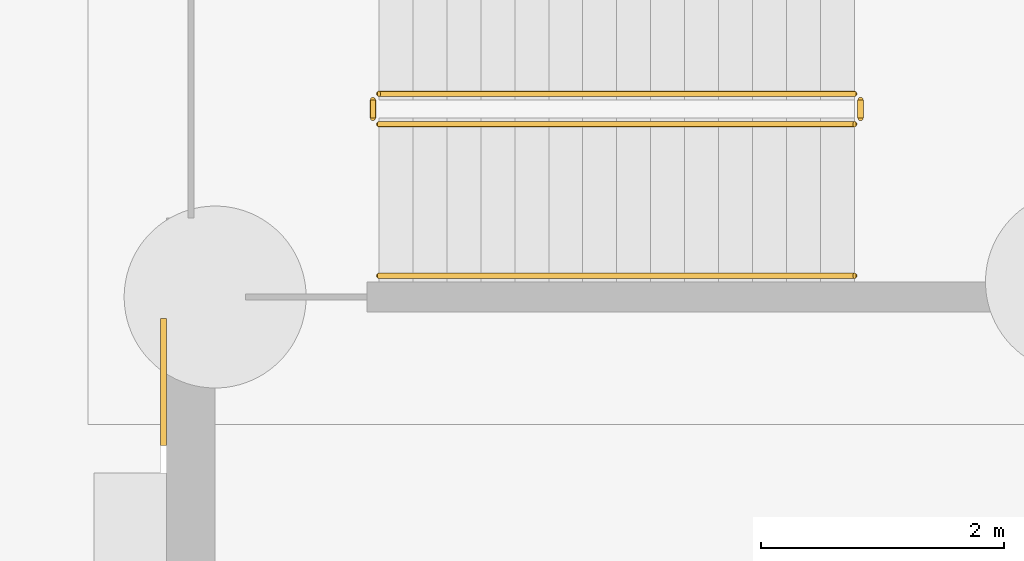
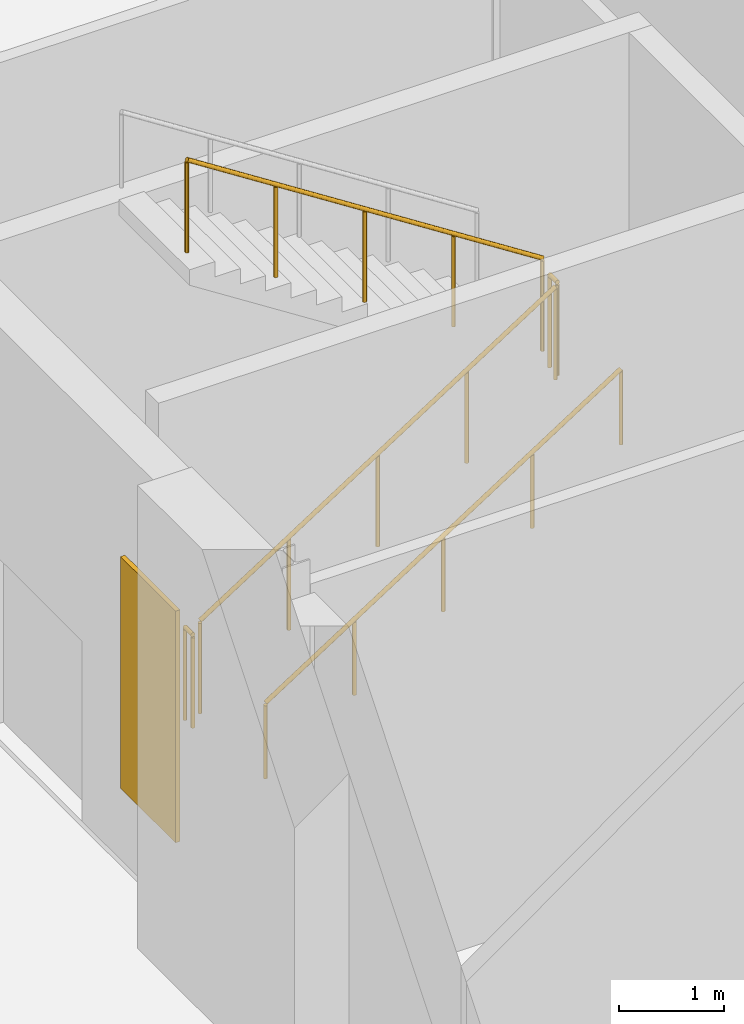
# One storey, part 128 of 168: 5 railings, 1 covering.
"""IFC4 building model written with IfcOpenShell, lengths in metres."""

from ifc_helpers import new_model, si_unit, direction, frame, origin, origin_2d, place, context, subcontext, project, spatial, polyline, circle, outline, extrude, material, layer, layer_set, type_object, element, save


model = new_model("IFC4")

# Units and contexts
model_context = context("Model", 3, precision=1e-05, world=origin(), true_north=direction((0.0, 1.0)))
body_context = subcontext(model_context, "Body", "Model", "MODEL_VIEW")
ifc_project = project(units=[si_unit("LENGTHUNIT", "METRE"), si_unit("AREAUNIT", "SQUARE_METRE"), si_unit("VOLUMEUNIT", "CUBIC_METRE"), si_unit("PLANEANGLEUNIT", "RADIAN"), si_unit("MASSUNIT", "GRAM", prefix="KILO")], contexts=[model_context])

# Site, building, storey
site_placement = place(None, origin())
site = spatial("IfcSite", under=ifc_project, at=site_placement, CompositionType="ELEMENT")
building_placement = place(site_placement, origin())
building = spatial("IfcBuilding", under=site, at=building_placement, Name="Golden Quay Civic Hall", CompositionType="ELEMENT")
storey_placement = place(building_placement, origin())
storey = spatial("IfcBuildingStorey", under=building, at=storey_placement, Name="L00", CompositionType="ELEMENT", Elevation=0.0)

# Railings
ifc_material_1 = material(Name="Steel S355", Category="steel")
railing_type_1 = type_object("IfcRailingType", Name="Steel guard 1100", PredefinedType="GUARDRAIL", material=ifc_material_1)
railing_1_placement = place(storey_placement, frame((1.550048828125, 31.375, 0.179931640625)))
element("IfcRailing", 1, at=railing_1_placement, inside=storey, type_object=railing_type_1, Name="L00 WO-M stair guard 1", PredefinedType="GUARDRAIL", context=body_context, shape_type="SweptSolid", body=[
    extrude(circle(Radius=0.02392578125, at=origin_2d()), frame((0.0, 0.0, 1.076171875), z_axis=(0.841171666519, 0.0, 0.540768182723), x_axis=(0.0, 1.0, 0.0)), (0.0, 0.0, 1.0), 4.66015625),
    extrude(circle(Radius=0.02099609375, at=origin_2d()), origin(), (0.0, 0.0, 1.0), 1.052001953125),
    extrude(circle(Radius=0.02099609375, at=origin_2d()), frame((0.97998046875, 0.0, 0.6298828125)), (0.0, 0.0, 1.0), 1.052001953125),
    extrude(circle(Radius=0.02099609375, at=origin_2d()), frame((1.9599609375, 0.0, 1.260009765625)), (0.0, 0.0, 1.0), 1.052001953125),
    extrude(circle(Radius=0.02099609375, at=origin_2d()), frame((2.93994140625, 0.0, 1.89013671875)), (0.0, 0.0, 1.0), 1.052001953125),
    extrude(circle(Radius=0.02099609375, at=origin_2d()), frame((3.919921875, 0.0, 2.52001953125)), (0.0, 0.0, 1.0), 1.052001953125),
])
railing_2_placement = place(storey_placement, frame((5.52001953125, 31.425048828125, 2.699951171875)))
element("IfcRailing", 2, at=railing_2_placement, inside=storey, type_object=railing_type_1, Name="L00 WO-M stair guard 2", PredefinedType="GUARDRAIL", context=body_context, shape_type="SweptSolid", body=[
    extrude(circle(Radius=0.02392578125, at=origin_2d()), frame((0.0, 0.0, 1.076171875), z_axis=(0.0, 1.0, 0.0), x_axis=(-1.0, 0.0, 0.0)), (0.0, 0.0, 1.0), 0.14990234375),
    extrude(circle(Radius=0.02099609375, at=origin_2d()), origin(), (0.0, 0.0, 1.0), 1.052001953125),
    extrude(circle(Radius=0.02099609375, at=origin_2d()), frame((0.0, 0.14990234375, 0.0)), (0.0, 0.0, 1.0), 1.052001953125),
])
railing_3_placement = place(storey_placement, frame((5.469970703125, 31.625, 2.8798828125)))
element("IfcRailing", 3, at=railing_3_placement, inside=storey, type_object=railing_type_1, Name="L00 WO-M stair guard 3", PredefinedType="GUARDRAIL", context=body_context, shape_type="SweptSolid", body=[
    extrude(circle(Radius=0.02392578125, at=origin_2d()), frame((0.0, 0.0, 1.076171875), z_axis=(-0.841171666519, 0.0, 0.540768182723), x_axis=(0.0, -1.0, 0.0)), (0.0, 0.0, 1.0), 4.66015625),
    extrude(circle(Radius=0.02099609375, at=origin_2d()), origin(), (0.0, 0.0, 1.0), 1.052001953125),
    extrude(circle(Radius=0.02099609375, at=origin_2d()), frame((-0.97998046875, 0.0, 0.6298828125)), (0.0, 0.0, 1.0), 1.052001953125),
    extrude(circle(Radius=0.02099609375, at=origin_2d()), frame((-1.9599609375, 0.0, 1.260009765625)), (0.0, 0.0, 1.0), 1.052001953125),
    extrude(circle(Radius=0.02099609375, at=origin_2d()), frame((-2.93994140625, 0.0, 1.89013671875)), (0.0, 0.0, 1.0), 1.052001953125),
    extrude(circle(Radius=0.02099609375, at=origin_2d()), frame((-3.919921875, 0.0, 2.52001953125)), (0.0, 0.0, 1.0), 1.052001953125),
])
railing_4_placement = place(storey_placement, frame((1.5, 31.425048828125, 0.0)))
element("IfcRailing", 4, at=railing_4_placement, inside=storey, type_object=railing_type_1, Name="L00 WO-M stair guard 4", PredefinedType="GUARDRAIL", context=body_context, shape_type="SweptSolid", body=[
    extrude(circle(Radius=0.02392578125, at=origin_2d()), frame((0.0, 0.0, 1.076171875), z_axis=(0.0, 1.0, 0.0), x_axis=(-1.0, 0.0, 0.0)), (0.0, 0.0, 1.0), 0.14990234375),
    extrude(circle(Radius=0.02099609375, at=origin_2d()), origin(), (0.0, 0.0, 1.0), 1.052001953125),
    extrude(circle(Radius=0.02099609375, at=origin_2d()), frame((0.0, 0.14990234375, 0.0)), (0.0, 0.0, 1.0), 1.052001953125),
])
ifc_material_2 = material(Name="Steel S355", Category="steel")
railing_type_2 = type_object("IfcRailingType", Name="Steel handrail 900", PredefinedType="HANDRAIL", material=ifc_material_2)
railing_5_placement = place(storey_placement, frame((1.550048828125, 30.125, 0.179931640625)))
element("IfcRailing", 5, at=railing_5_placement, inside=storey, type_object=railing_type_2, Name="L00 WO-M stair handrail 1", PredefinedType="HANDRAIL", context=body_context, shape_type="SweptSolid", body=[
    extrude(circle(Radius=0.02392578125, at=origin_2d()), frame((0.0, 0.0, 0.8759765625), z_axis=(0.841171666519, 0.0, 0.540768182723), x_axis=(0.0, 1.0, 0.0)), (0.0, 0.0, 1.0), 4.66015625),
    extrude(circle(Radius=0.02099609375, at=origin_2d()), origin(), (0.0, 0.0, 1.0), 0.851806640625),
    extrude(circle(Radius=0.02099609375, at=origin_2d()), frame((0.97998046875, 0.0, 0.6298828125)), (0.0, 0.0, 1.0), 0.851806640625),
    extrude(circle(Radius=0.02099609375, at=origin_2d()), frame((1.9599609375, 0.0, 1.260009765625)), (0.0, 0.0, 1.0), 0.851806640625),
    extrude(circle(Radius=0.02099609375, at=origin_2d()), frame((2.93994140625, 0.0, 1.89013671875)), (0.0, 0.0, 1.0), 0.851806640625),
    extrude(circle(Radius=0.02099609375, at=origin_2d()), frame((3.919921875, 0.0, 2.52001953125)), (0.0, 0.0, 1.0), 0.851806640625),
])

# Covering
ifc_material_3 = material(Name="Terracotta cladding, golden glaze", Category="masonry")
ifc_layer = layer(ifc_material_3, 0.050048828125)
ifc_layer_set = layer_set([ifc_layer], Name="Terracotta solid panel 1050 x 2700 x 50")
covering_type = type_object("IfcCoveringType", Name="Terracotta solid panel 1050 x 2700 x 50", PredefinedType="CLADDING", material=ifc_layer_set)
covering_placement = place(storey_placement, frame((0.0, 0.0, 0.89990234375)))
element("IfcCovering", 6, at=covering_placement, inside=storey, type_object=covering_type, Name="Terracotta solid panel 1050 x 2700 x 50 L00 2", PredefinedType="CLADDING", context=body_context, shape_type="SweptSolid", body=[
    extrude(outline(polyline([(-0.199951171875, 28.72509765625), (-0.199951171875, 29.77490234375), (-0.25, 29.77490234375), (-0.25, 28.72509765625), (-0.199951171875, 28.72509765625)])), origin(), (0.0, 0.0, 1.0), 2.7001953125),
])

save(model, "model.ifc")
